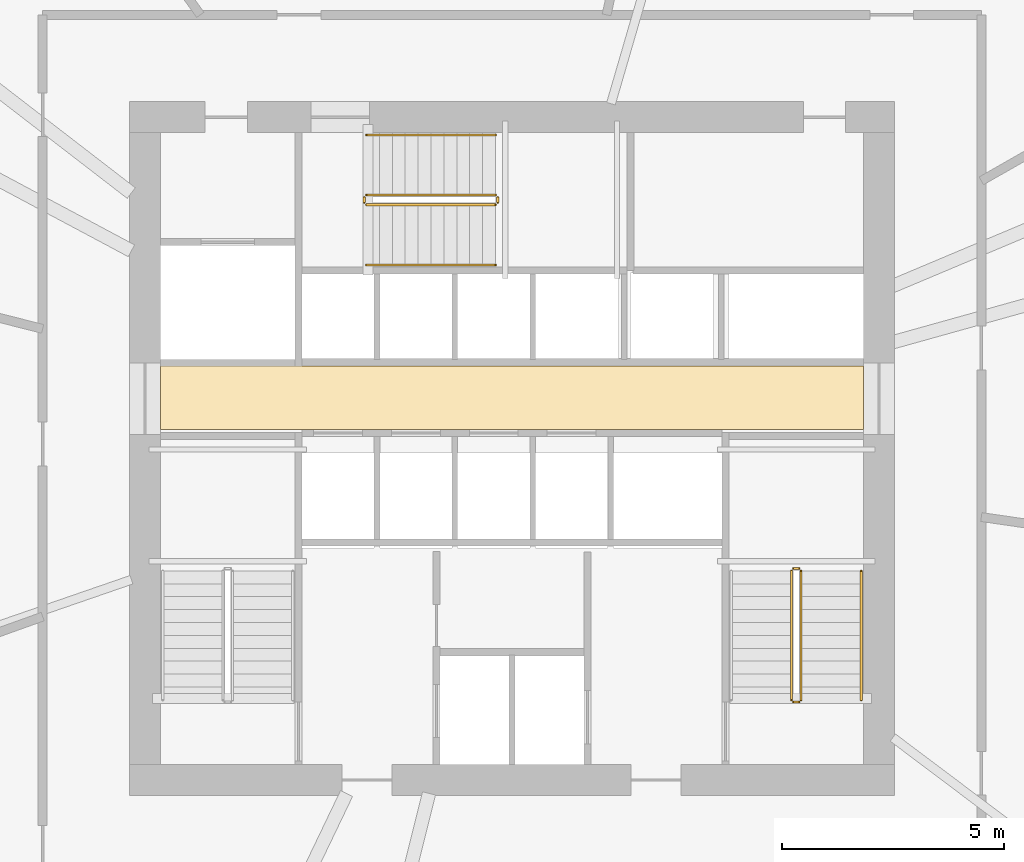
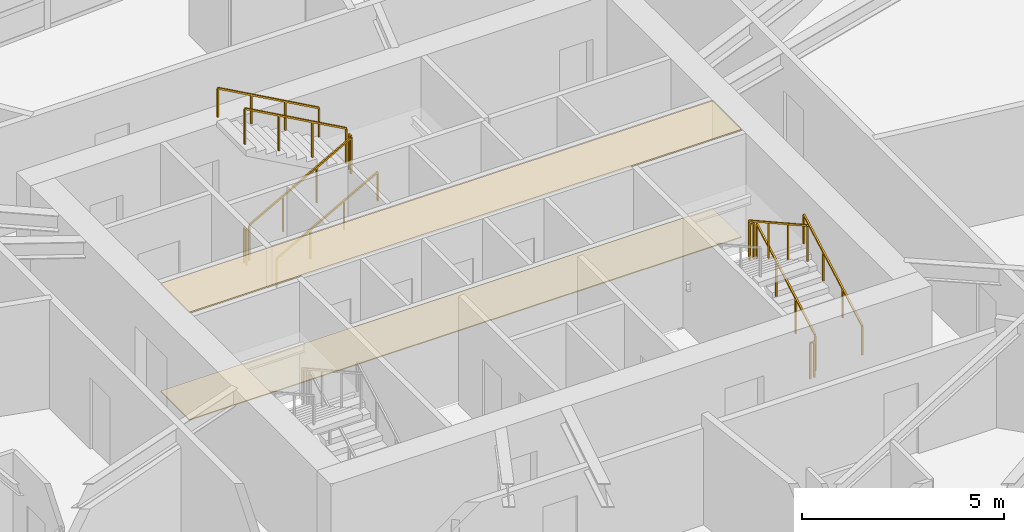
# One storey, part 20 of 21: 11 railings, 2 coverings.
"""IFC4 building model written with IfcOpenShell, lengths in metres."""

import ifcopenshell
import ifcopenshell.guid

model = None  # the IFC model being written
_history = None  # IfcOwnerHistory: only IFC2X3 demands one
_inside = {}  # id of a spatial element -> (the spatial element, [elements in it])
_under = {}  # id of a project, library or spatial element -> (it, [spatial elements below it])
_declared = {}  # id of a project -> (the project, [libraries it declares])
_typed = {}  # id of a type object -> (the type object, [elements of that type])
_made_of = {}  # id of a material, layer set ... -> (it, [elements and type objects made of it])


def new_model(schema):
    """Start an empty IFC model of exactly this schema.

    Asked for "IFC4X3", IfcOpenShell would pick the latest addendum, in which some entities
    have other attributes; the version numbers below select the first issue.
    IFC2X3 requires an IfcOwnerHistory on every rooted entity: one is made here for all.
    """
    global model, _history
    if schema == "IFC4X3":
        model = ifcopenshell.file(schema_version=(4, 3, 0, 0))
    else:
        model = ifcopenshell.file(schema=schema)
    _inside.clear()
    _under.clear()
    _declared.clear()
    _typed.clear()
    _made_of.clear()
    _history = None
    if model.schema == "IFC2X3":
        org = make("IfcOrganization", Name="unknown")
        user = make(
            "IfcPersonAndOrganization",
            ThePerson=make("IfcPerson", FamilyName="unknown"),
            TheOrganization=org,
        )
        app = make(
            "IfcApplication",
            ApplicationDeveloper=org,
            Version="unknown",
            ApplicationFullName="unknown",
            ApplicationIdentifier="unknown",
        )
        _history = make(
            "IfcOwnerHistory",
            OwningUser=user,
            OwningApplication=app,
            ChangeAction="ADDED",
            CreationDate=0,
        )
    return model


def make(cls, **values):
    """One entity of the class cls with the attributes given. An attribute that is None is left unset."""
    return model.create_entity(
        cls, **{name: value for name, value in values.items() if value is not None}
    )


def rooted(cls, **values):
    """An entity with a GlobalId (a new one), such as an element, a storey or a relation."""
    return make(cls, GlobalId=ifcopenshell.guid.new(), OwnerHistory=_history, **values)


def si_unit(unit_type, name, prefix=None):
    """IfcSIUnit, for example si_unit("LENGTHUNIT", "METRE", prefix="MILLI")."""
    return make("IfcSIUnit", UnitType=unit_type, Prefix=prefix, Name=name)


def assignment(units):
    """IfcUnitAssignment: the units of a project."""
    return None if units is None else make("IfcUnitAssignment", Units=units)


def point(xyz):
    """IfcCartesianPoint."""
    return None if xyz is None else make("IfcCartesianPoint", Coordinates=xyz)


def direction(xyz):
    """IfcDirection."""
    return None if xyz is None else make("IfcDirection", DirectionRatios=xyz)


def frame(location, z_axis=None, x_axis=None):
    """IfcAxis2Placement3D, a coordinate frame: its origin and axes. An axis left out is left unset."""
    return make(
        "IfcAxis2Placement3D",
        Location=point(location),
        Axis=direction(z_axis),
        RefDirection=direction(x_axis),
    )


def frame_2d(location, x_axis=None):
    """IfcAxis2Placement2D, a coordinate frame in the plane: its origin and x axis."""
    return make(
        "IfcAxis2Placement2D", Location=point(location), RefDirection=direction(x_axis)
    )


def origin():
    """The frame at (0, 0, 0) with its axes left unset."""
    return frame((0.0, 0.0, 0.0))


def origin_2d():
    """The frame at (0, 0) in the plane with its x axis left unset."""
    return frame_2d((0.0, 0.0))


def place(relative_to, where):
    """IfcLocalPlacement: puts the frame where relative to a parent placement (None: the world)."""
    return make(
        "IfcLocalPlacement", PlacementRelTo=relative_to, RelativePlacement=where
    )


def context(
    kind, dimensions, precision=None, world=None, true_north=None, identifier=None
):
    """IfcGeometricRepresentationContext, for example the 3D "Model" context."""
    return make(
        "IfcGeometricRepresentationContext",
        ContextIdentifier=identifier,
        ContextType=kind,
        CoordinateSpaceDimension=dimensions,
        Precision=precision,
        WorldCoordinateSystem=world,
        TrueNorth=true_north,
    )


def subcontext(parent, identifier, kind, view, scale=None):
    """IfcGeometricRepresentationSubContext, for example "Body" below "Model"."""
    return make(
        "IfcGeometricRepresentationSubContext",
        ContextIdentifier=identifier,
        ContextType=kind,
        ParentContext=parent,
        TargetScale=scale,
        TargetView=view,
    )


def project(units=None, contexts=None):
    """IfcProject with its units and contexts."""
    return rooted(
        "IfcProject",
        Name="project",
        RepresentationContexts=contexts,
        UnitsInContext=assignment(units),
    )


def spatial(cls, under=None, at=None, **own):
    """A site, building, storey or space (cls), placed at a placement, below another one or the project."""
    s = rooted(cls, ObjectPlacement=at, **own)
    if under is not None:
        _under.setdefault(under.id(), (under, []))[1].append(s)
    return s


def polyline(points):
    """IfcPolyline through the points."""
    return make("IfcPolyline", Points=[point(p) for p in points])


def profile(cls, at=None, kind="AREA", **sizes):
    """A parametric profile (cls). Its sizes go by their IFC names, for example OverallWidth=200.0."""
    return make(cls, ProfileType=kind, Position=at, **sizes)


def rectangle(**sizes):
    """IfcRectangleProfileDef."""
    return profile("IfcRectangleProfileDef", **sizes)


def outline(outer, holes=None, kind="AREA"):
    """IfcArbitraryClosedProfileDef: a profile drawn as a closed curve; with holes, ...WithVoids."""
    if holes is None:
        return make("IfcArbitraryClosedProfileDef", ProfileType=kind, OuterCurve=outer)
    return make(
        "IfcArbitraryProfileDefWithVoids",
        ProfileType=kind,
        OuterCurve=outer,
        InnerCurves=holes,
    )


def extrude(swept, where, along, depth):
    """IfcExtrudedAreaSolid: the profile swept, set in the frame where, extruded along a direction by depth."""
    return make(
        "IfcExtrudedAreaSolid",
        SweptArea=swept,
        Position=where,
        ExtrudedDirection=direction(along),
        Depth=depth,
    )


def shape(context_of_items, identifier, shape_type, items):
    """IfcShapeRepresentation: the items that make up one representation, for example the "Body"."""
    return make(
        "IfcShapeRepresentation",
        ContextOfItems=context_of_items,
        RepresentationIdentifier=identifier,
        RepresentationType=shape_type,
        Items=items,
    )


def material(Name=None, Category=None):
    """IfcMaterial."""
    return make("IfcMaterial", Name=Name, Category=Category)


def layer(
    of_material, thickness, ventilated=None, Name=None, Category=None, Priority=None
):
    """IfcMaterialLayer: one layer of a wall or slab, of a material (None: an air gap)."""
    return make(
        "IfcMaterialLayer",
        Material=of_material,
        LayerThickness=thickness,
        IsVentilated=ventilated,
        Name=Name,
        Category=Category,
        Priority=Priority,
    )


def layer_set(layers, Name=None):
    """IfcMaterialLayerSet."""
    return make("IfcMaterialLayerSet", MaterialLayers=layers, LayerSetName=Name)


def made_of(thing, what):
    """Note that an element or type object is made of a material, layer set ...; save() writes the relation."""
    if what is not None:
        _made_of.setdefault(what.id(), (what, []))[1].append(thing)
    return thing


def type_object(cls, material=None, **own):
    """A type object (cls), such as IfcWallType, which elements share."""
    return made_of(rooted(cls, **own), material)


def element(
    cls,
    number,
    at=None,
    inside=None,
    cuts=None,
    type_object=None,
    material=None,
    context=None,
    identifier="Body",
    shape_type=None,
    held_by="IfcProductDefinitionShape",
    body=None,
    shapes=None,
    **own,
):
    """One element of the class cls, such as IfcWall. Its Tag is "e" and its number.

    at: its placement. inside: the storey or other place that contains it. cuts: it is an
    opening in that element (IfcRelVoidsElement). A single representation is given by context,
    identifier, shape_type and body (its items); several are given by shapes. held_by: the class
    of the entity that holds the representations. save() writes the other relations.
    """
    e = rooted(cls, Tag="e%d" % number, ObjectPlacement=at, **own)
    if body is not None:
        shapes = [shape(context, identifier, shape_type, body)]
    if shapes is not None:
        e.Representation = make(held_by, Representations=shapes)
    if inside is not None:
        _inside.setdefault(inside.id(), (inside, []))[1].append(e)
    if cuts is not None:
        rooted(
            "IfcRelVoidsElement", RelatingBuildingElement=cuts, RelatedOpeningElement=e
        )
    if type_object is not None:
        _typed.setdefault(type_object.id(), (type_object, []))[1].append(e)
    return made_of(e, material)


def aggregate(whole, parts):
    """IfcRelAggregates: a whole, such as a stair, and the parts it consists of."""
    return rooted("IfcRelAggregates", RelatingObject=whole, RelatedObjects=parts)


def save(model, path):
    """Write the relations noted so far, then the file.

    IfcRelAggregates (storeys below a building ...), IfcRelContainedInSpatialStructure (elements
    in a storey), IfcRelDefinesByType, IfcRelAssociatesMaterial and IfcRelDeclares: one each for
    every whole, place, type object, material and project.
    """
    for whole, parts in _under.values():
        aggregate(whole, parts)
    for where, things in _inside.values():
        rooted(
            "IfcRelContainedInSpatialStructure",
            RelatedElements=things,
            RelatingStructure=where,
        )
    for kind, things in _typed.values():
        rooted("IfcRelDefinesByType", RelatedObjects=things, RelatingType=kind)
    for what, things in _made_of.values():
        rooted("IfcRelAssociatesMaterial", RelatedObjects=things, RelatingMaterial=what)
    for by, libraries in _declared.values():
        rooted("IfcRelDeclares", RelatingContext=by, RelatedDefinitions=libraries)
    model.write(path)


model = new_model("IFC4")

# Units and contexts
model_context = context("Model", 3, precision=1e-05, world=origin(), true_north=direction((0.0, 1.0)))
body_context = subcontext(model_context, "Body", "Model", "MODEL_VIEW")
ifc_project = project(units=[si_unit("LENGTHUNIT", "METRE"), si_unit("AREAUNIT", "SQUARE_METRE"), si_unit("VOLUMEUNIT", "CUBIC_METRE"), si_unit("PLANEANGLEUNIT", "RADIAN"), si_unit("MASSUNIT", "GRAM", prefix="KILO")], contexts=[model_context])

# Site, building, storey
site_placement = place(None, origin())
site = spatial("IfcSite", under=ifc_project, at=site_placement, CompositionType="ELEMENT")
building_placement = place(site_placement, origin())
building = spatial("IfcBuilding", under=site, at=building_placement, Name="Olszyna Solenne Hotel", CompositionType="ELEMENT")
storey_placement = place(building_placement, frame((0.0, 0.0, 109.25)))
storey = spatial("IfcBuildingStorey", under=building, at=storey_placement, Name="L28", CompositionType="ELEMENT", Elevation=109.25)

# Coverings
ifc_material_1 = material(Name="Mineral wool acoustic ceiling")
ifc_layer_1 = layer(ifc_material_1, 0.0400390625, Name="Mineral wool acoustic ceiling")
ifc_layer_set_1 = layer_set([ifc_layer_1], Name="Mineral wool acoustic ceiling")
covering_type_1 = type_object("IfcCoveringType", Name="CL-AC1", PredefinedType="CEILING", material=ifc_layer_set_1)
covering_1_placement = place(storey_placement, frame((0.0, 0.0, 3.239990234375)))
element("IfcCovering", 1, at=covering_1_placement, inside=storey, type_object=covering_type_1, Name="Lift lobby acoustic tile ceiling CL-L28-01", PredefinedType="CEILING", context=body_context, shape_type="SweptSolid", body=[
    extrude(outline(polyline([(30.10009765625, 27.030029296875), (45.89990234375, 27.030029296875), (45.89990234375, 28.4599609375), (30.10009765625, 28.4599609375), (30.10009765625, 27.030029296875)])), origin(), (0.0, 0.0, 1.0), 0.0400390625),
])
ifc_material_2 = material(Name="Ceramic floor tile")
ifc_layer_2 = layer(ifc_material_2, 0.030029296875, Name="Ceramic floor tile")
ifc_layer_set_2 = layer_set([ifc_layer_2], Name="Ceramic floor tile")
covering_type_2 = type_object("IfcCoveringType", Name="FL-TL1", PredefinedType="FLOORING", material=ifc_layer_set_2)
covering_2_placement = place(storey_placement, origin())
element("IfcCovering", 2, at=covering_2_placement, inside=storey, type_object=covering_type_2, Name="Lift lobby stoneware floor finish FLR-L28-01", PredefinedType="FLOORING", context=body_context, shape_type="SweptSolid", body=[
    extrude(outline(polyline([(30.10009765625, 27.030029296875), (45.89990234375, 27.030029296875), (45.89990234375, 28.4599609375), (30.10009765625, 28.4599609375), (30.10009765625, 27.030029296875)])), origin(), (0.0, 0.0, 1.0), 0.030029296875),
])

# Railings
ifc_material_3 = material(Name="Anodised bronze aluminium", Category="aluminium")
railing_type_1 = type_object("IfcRailingType", Name="GR-110", PredefinedType="BALUSTRADE", material=ifc_material_3)
railing_1_placement = place(storey_placement, frame((44.5, 20.949951171875, 0.161376953125)))
element("IfcRailing", 3, at=railing_1_placement, inside=storey, type_object=railing_type_1, Name="L28 ST2 stair guard 1", PredefinedType="BALUSTRADE", context=body_context, shape_type="SweptSolid", body=[
    extrude(rectangle(XDim=0.048095703125, YDim=0.048095703125, at=origin_2d()), frame((0.0, 0.0, 1.076171875), z_axis=(0.0, 0.873858693841, 0.486179990537), x_axis=(-1.0, 0.0, 0.0)), (0.0, 0.0, 1.0), 3.31884765625),
    extrude(rectangle(XDim=0.0419921875, YDim=0.0419921875, at=origin_2d()), origin(), (0.0, 0.0, 1.0), 1.052001953125),
    extrude(rectangle(XDim=0.0419921875, YDim=0.0419921875, at=origin_2d()), frame((0.0, 0.966796875, 0.537841796875)), (0.0, 0.0, 1.0), 1.052001953125),
    extrude(rectangle(XDim=0.0419921875, YDim=0.0419921875, at=origin_2d()), frame((0.0, 1.933349609375, 1.07568359375)), (0.0, 0.0, 1.0), 1.052001953125),
    extrude(rectangle(XDim=0.0419921875, YDim=0.0419921875, at=origin_2d()), frame((0.0, 2.900146484375, 1.613525390625)), (0.0, 0.0, 1.0), 1.052001953125),
])
railing_2_placement = place(storey_placement, frame((44.449951171875, 23.89990234375, 1.77490234375)))
element("IfcRailing", 4, at=railing_2_placement, inside=storey, type_object=railing_type_1, Name="L28 ST2 stair guard 2", PredefinedType="BALUSTRADE", context=body_context, shape_type="SweptSolid", body=[
    extrude(rectangle(XDim=0.048095703125, YDim=0.048095703125, at=origin_2d()), frame((0.0, 0.0, 1.076171875), z_axis=(-1.0, 0.0, 0.0), x_axis=(0.0, -1.0, 0.0)), (0.0, 0.0, 1.0), 0.119873046875),
    extrude(rectangle(XDim=0.0419921875, YDim=0.0419921875, at=origin_2d()), origin(), (0.0, 0.0, 1.0), 1.052001953125),
    extrude(rectangle(XDim=0.0419921875, YDim=0.0419921875, at=origin_2d()), frame((-0.119873046875, 0.0, 0.0)), (0.0, 0.0, 1.0), 1.052001953125),
])
railing_3_placement = place(storey_placement, frame((44.280029296875, 23.85009765625, 1.936279296875)))
element("IfcRailing", 5, at=railing_3_placement, inside=storey, type_object=railing_type_1, Name="L28 ST2 stair guard 3", PredefinedType="BALUSTRADE", context=body_context, shape_type="SweptSolid", body=[
    extrude(rectangle(XDim=0.048095703125, YDim=0.048095703125, at=origin_2d()), frame((0.0, 0.0, 1.076171875), z_axis=(0.0, -0.873827439584, 0.48623616261), x_axis=(1.0, 0.0, 0.0)), (0.0, 0.0, 1.0), 3.31884765625),
    extrude(rectangle(XDim=0.0419921875, YDim=0.0419921875, at=origin_2d()), origin(), (0.0, 0.0, 1.0), 1.052001953125),
    extrude(rectangle(XDim=0.0419921875, YDim=0.0419921875, at=origin_2d()), frame((0.0, -0.966796875, 0.537841796875)), (0.0, 0.0, 1.0), 1.052001953125),
    extrude(rectangle(XDim=0.0419921875, YDim=0.0419921875, at=origin_2d()), frame((0.0, -1.933349609375, 1.075927734375)), (0.0, 0.0, 1.0), 1.052001953125),
    extrude(rectangle(XDim=0.0419921875, YDim=0.0419921875, at=origin_2d()), frame((0.0, -2.900146484375, 1.61376953125)), (0.0, 0.0, 1.0), 1.052001953125),
])
railing_4_placement = place(storey_placement, frame((44.449951171875, 20.89990234375, 0.0)))
element("IfcRailing", 6, at=railing_4_placement, inside=storey, type_object=railing_type_1, Name="L28 ST2 stair guard 4", PredefinedType="BALUSTRADE", context=body_context, shape_type="SweptSolid", body=[
    extrude(rectangle(XDim=0.048095703125, YDim=0.048095703125, at=origin_2d()), frame((0.0, 0.0, 1.076171875), z_axis=(-1.0, 0.0, 0.0), x_axis=(0.0, -1.0, 0.0)), (0.0, 0.0, 1.0), 0.119873046875),
    extrude(rectangle(XDim=0.0419921875, YDim=0.0419921875, at=origin_2d()), origin(), (0.0, 0.0, 1.0), 1.052001953125),
    extrude(rectangle(XDim=0.0419921875, YDim=0.0419921875, at=origin_2d()), frame((-0.119873046875, 0.0, 0.0)), (0.0, 0.0, 1.0), 1.052001953125),
])
railing_5_placement = place(storey_placement, frame((34.72998046875, 32.080078125, 0.161376953125)))
element("IfcRailing", 7, at=railing_5_placement, inside=storey, type_object=railing_type_1, Name="L28 ST3 stair guard 1", PredefinedType="BALUSTRADE", context=body_context, shape_type="SweptSolid", body=[
    extrude(rectangle(XDim=0.048095703125, YDim=0.048095703125, at=origin_2d()), frame((0.0, 0.0, 1.076171875), z_axis=(0.873841303929, 0.0, 0.486211245805), x_axis=(0.0, 1.0, 0.0)), (0.0, 0.0, 1.0), 3.318603515625),
    extrude(rectangle(XDim=0.0419921875, YDim=0.0419921875, at=origin_2d()), origin(), (0.0, 0.0, 1.0), 1.052001953125),
    extrude(rectangle(XDim=0.0419921875, YDim=0.0419921875, at=origin_2d()), frame((0.966552734375, 0.0, 0.537841796875)), (0.0, 0.0, 1.0), 1.052001953125),
    extrude(rectangle(XDim=0.0419921875, YDim=0.0419921875, at=origin_2d()), frame((1.933349609375, 0.0, 1.07568359375)), (0.0, 0.0, 1.0), 1.052001953125),
    extrude(rectangle(XDim=0.0419921875, YDim=0.0419921875, at=origin_2d()), frame((2.89990234375, 0.0, 1.613525390625)), (0.0, 0.0, 1.0), 1.052001953125),
])
railing_6_placement = place(storey_placement, frame((37.679931640625, 32.1298828125, 1.77490234375)))
element("IfcRailing", 8, at=railing_6_placement, inside=storey, type_object=railing_type_1, Name="L28 ST3 stair guard 2", PredefinedType="BALUSTRADE", context=body_context, shape_type="SweptSolid", body=[
    extrude(rectangle(XDim=0.048095703125, YDim=0.048095703125, at=origin_2d()), frame((0.0, 0.0, 1.076171875), z_axis=(0.0, 1.0, 0.0), x_axis=(-1.0, 0.0, 0.0)), (0.0, 0.0, 1.0), 0.1201171875),
    extrude(rectangle(XDim=0.0419921875, YDim=0.0419921875, at=origin_2d()), origin(), (0.0, 0.0, 1.0), 1.052001953125),
    extrude(rectangle(XDim=0.0419921875, YDim=0.0419921875, at=origin_2d()), frame((0.0, 0.1201171875, 0.0)), (0.0, 0.0, 1.0), 1.052001953125),
])
railing_7_placement = place(storey_placement, frame((37.6298828125, 32.300048828125, 1.936279296875)))
element("IfcRailing", 9, at=railing_7_placement, inside=storey, type_object=railing_type_1, Name="L28 ST3 stair guard 3", PredefinedType="BALUSTRADE", context=body_context, shape_type="SweptSolid", body=[
    extrude(rectangle(XDim=0.048095703125, YDim=0.048095703125, at=origin_2d()), frame((0.0, 0.0, 1.076171875), z_axis=(-0.873810046276, 0.0, 0.486267419253), x_axis=(0.0, -1.0, 0.0)), (0.0, 0.0, 1.0), 3.318603515625),
    extrude(rectangle(XDim=0.0419921875, YDim=0.0419921875, at=origin_2d()), origin(), (0.0, 0.0, 1.0), 1.052001953125),
    extrude(rectangle(XDim=0.0419921875, YDim=0.0419921875, at=origin_2d()), frame((-0.966552734375, 0.0, 0.537841796875)), (0.0, 0.0, 1.0), 1.052001953125),
    extrude(rectangle(XDim=0.0419921875, YDim=0.0419921875, at=origin_2d()), frame((-1.933349609375, 0.0, 1.075927734375)), (0.0, 0.0, 1.0), 1.052001953125),
    extrude(rectangle(XDim=0.0419921875, YDim=0.0419921875, at=origin_2d()), frame((-2.89990234375, 0.0, 1.61376953125)), (0.0, 0.0, 1.0), 1.052001953125),
])
railing_8_placement = place(storey_placement, frame((34.679931640625, 32.1298828125, 0.0)))
element("IfcRailing", 10, at=railing_8_placement, inside=storey, type_object=railing_type_1, Name="L28 ST3 stair guard 4", PredefinedType="BALUSTRADE", context=body_context, shape_type="SweptSolid", body=[
    extrude(rectangle(XDim=0.048095703125, YDim=0.048095703125, at=origin_2d()), frame((0.0, 0.0, 1.076171875), z_axis=(0.0, 1.0, 0.0), x_axis=(-1.0, 0.0, 0.0)), (0.0, 0.0, 1.0), 0.1201171875),
    extrude(rectangle(XDim=0.0419921875, YDim=0.0419921875, at=origin_2d()), origin(), (0.0, 0.0, 1.0), 1.052001953125),
    extrude(rectangle(XDim=0.0419921875, YDim=0.0419921875, at=origin_2d()), frame((0.0, 0.1201171875, 0.0)), (0.0, 0.0, 1.0), 1.052001953125),
])
ifc_material_4 = material(Name="Steel S355J2", Category="steel")
railing_type_2 = type_object("IfcRailingType", Name="HR-090", PredefinedType="HANDRAIL", material=ifc_material_4)
railing_9_placement = place(storey_placement, frame((45.85009765625, 20.949951171875, 0.161376953125)))
element("IfcRailing", 11, at=railing_9_placement, inside=storey, type_object=railing_type_2, Name="L28 ST2 stair handrail 1", PredefinedType="HANDRAIL", context=body_context, shape_type="SweptSolid", body=[
    extrude(rectangle(XDim=0.048095703125, YDim=0.048095703125, at=origin_2d()), frame((0.0, 0.0, 0.8759765625), z_axis=(0.0, 0.873858693841, 0.486179990537), x_axis=(-1.0, 0.0, 0.0)), (0.0, 0.0, 1.0), 3.31884765625),
    extrude(rectangle(XDim=0.0419921875, YDim=0.0419921875, at=origin_2d()), origin(), (0.0, 0.0, 1.0), 0.851806640625),
    extrude(rectangle(XDim=0.0419921875, YDim=0.0419921875, at=origin_2d()), frame((0.0, 0.966796875, 0.537841796875)), (0.0, 0.0, 1.0), 0.851806640625),
    extrude(rectangle(XDim=0.0419921875, YDim=0.0419921875, at=origin_2d()), frame((0.0, 1.933349609375, 1.07568359375)), (0.0, 0.0, 1.0), 0.851806640625),
    extrude(rectangle(XDim=0.0419921875, YDim=0.0419921875, at=origin_2d()), frame((0.0, 2.900146484375, 1.613525390625)), (0.0, 0.0, 1.0), 0.851806640625),
])
railing_10_placement = place(storey_placement, frame((34.72998046875, 30.72998046875, 0.161376953125)))
element("IfcRailing", 12, at=railing_10_placement, inside=storey, type_object=railing_type_2, Name="L28 ST3 stair handrail 1", PredefinedType="HANDRAIL", context=body_context, shape_type="SweptSolid", body=[
    extrude(rectangle(XDim=0.048095703125, YDim=0.048095703125, at=origin_2d()), frame((0.0, 0.0, 0.8759765625), z_axis=(0.873841303929, 0.0, 0.486211245805), x_axis=(0.0, 1.0, 0.0)), (0.0, 0.0, 1.0), 3.318603515625),
    extrude(rectangle(XDim=0.0419921875, YDim=0.0419921875, at=origin_2d()), origin(), (0.0, 0.0, 1.0), 0.851806640625),
    extrude(rectangle(XDim=0.0419921875, YDim=0.0419921875, at=origin_2d()), frame((0.966552734375, 0.0, 0.537841796875)), (0.0, 0.0, 1.0), 0.851806640625),
    extrude(rectangle(XDim=0.0419921875, YDim=0.0419921875, at=origin_2d()), frame((1.933349609375, 0.0, 1.07568359375)), (0.0, 0.0, 1.0), 0.851806640625),
    extrude(rectangle(XDim=0.0419921875, YDim=0.0419921875, at=origin_2d()), frame((2.89990234375, 0.0, 1.613525390625)), (0.0, 0.0, 1.0), 0.851806640625),
])
railing_11_placement = place(storey_placement, frame((37.6298828125, 33.64990234375, 1.936279296875)))
element("IfcRailing", 13, at=railing_11_placement, inside=storey, type_object=railing_type_2, Name="L28 ST3 stair handrail 2", PredefinedType="HANDRAIL", context=body_context, shape_type="SweptSolid", body=[
    extrude(rectangle(XDim=0.048095703125, YDim=0.048095703125, at=origin_2d()), frame((0.0, 0.0, 0.8759765625), z_axis=(-0.873810046276, 0.0, 0.486267419253), x_axis=(0.0, -1.0, 0.0)), (0.0, 0.0, 1.0), 3.318603515625),
    extrude(rectangle(XDim=0.0419921875, YDim=0.0419921875, at=origin_2d()), origin(), (0.0, 0.0, 1.0), 0.851806640625),
    extrude(rectangle(XDim=0.0419921875, YDim=0.0419921875, at=origin_2d()), frame((-0.966552734375, 0.0, 0.537841796875)), (0.0, 0.0, 1.0), 0.851806640625),
    extrude(rectangle(XDim=0.0419921875, YDim=0.0419921875, at=origin_2d()), frame((-1.933349609375, 0.0, 1.075927734375)), (0.0, 0.0, 1.0), 0.851806640625),
    extrude(rectangle(XDim=0.0419921875, YDim=0.0419921875, at=origin_2d()), frame((-2.89990234375, 0.0, 1.61376953125)), (0.0, 0.0, 1.0), 0.851806640625),
])

save(model, "model.ifc")
